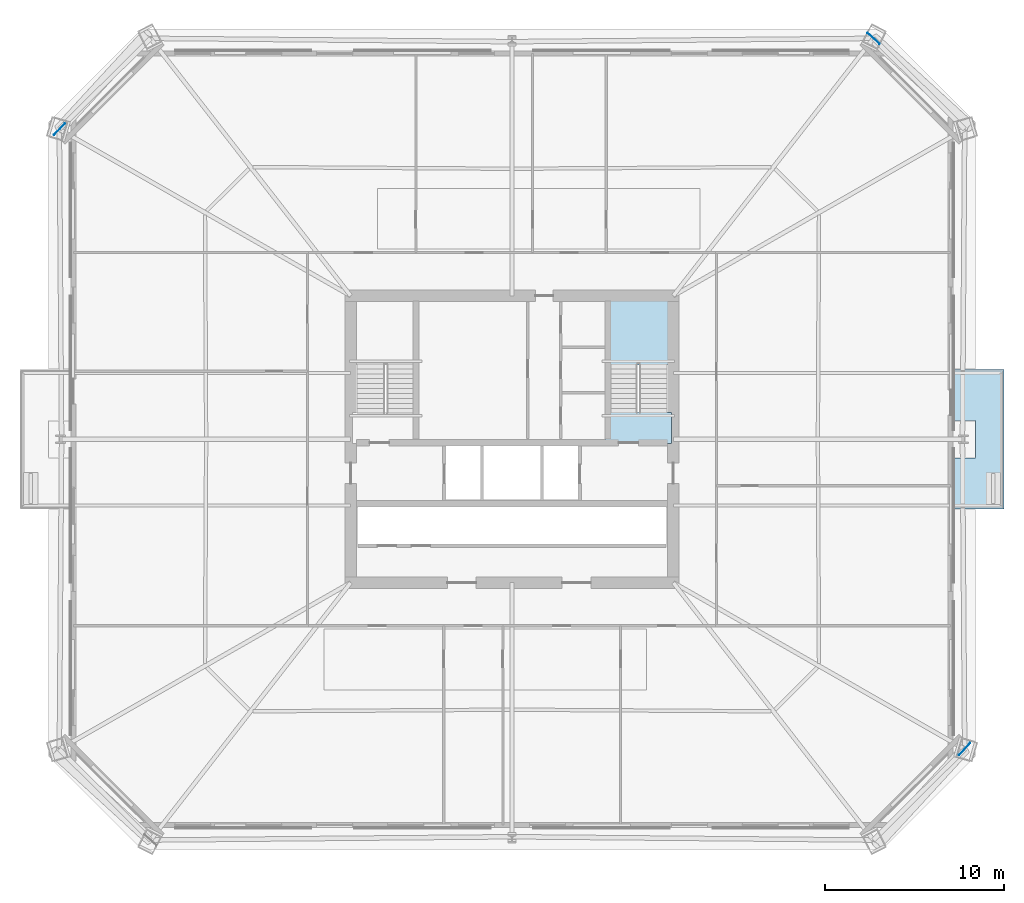
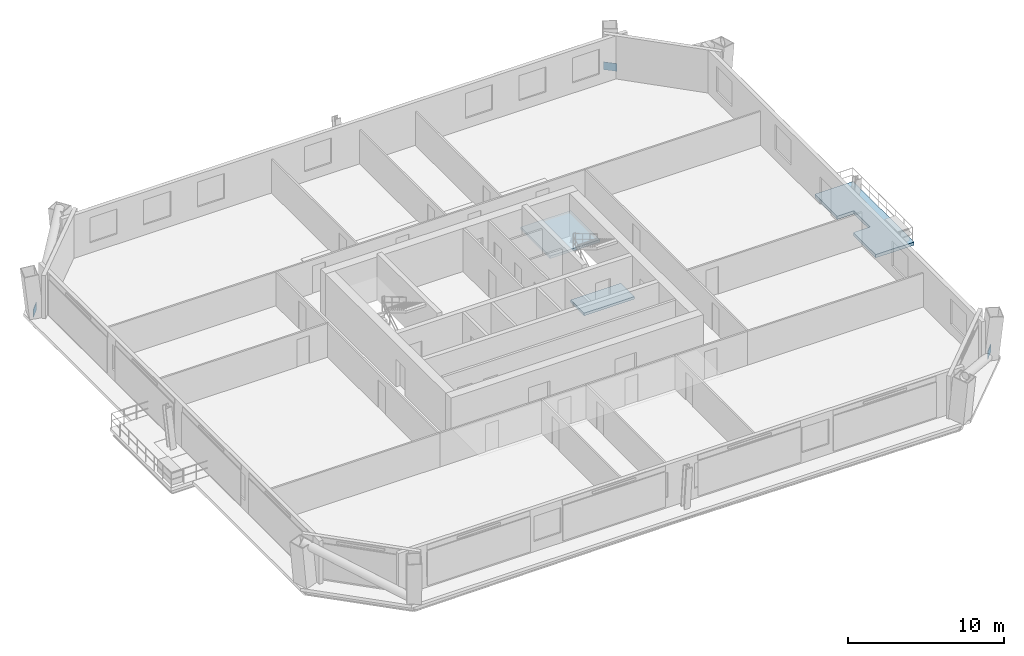
# One storey, part 4 of 11: 3 plates, 3 slabs, 1 element without a shape of its own.
"""IFC4 building model written with IfcOpenShell, lengths in metres."""

from ifc_helpers import new_model, si_unit, direction, frame, origin, origin_2d, place, context, subcontext, project, spatial, polyline, rectangle, outline, extrude, material, layer, layer_set, type_object, element, aggregate, save


model = new_model("IFC4")

# Units and contexts
model_context = context("Model", 3, precision=1e-05, world=origin(), true_north=direction((0.0, 1.0)))
body_context = subcontext(model_context, "Body", "Model", "MODEL_VIEW")
ifc_project = project(units=[si_unit("LENGTHUNIT", "METRE"), si_unit("AREAUNIT", "SQUARE_METRE"), si_unit("VOLUMEUNIT", "CUBIC_METRE"), si_unit("PLANEANGLEUNIT", "RADIAN"), si_unit("MASSUNIT", "GRAM", prefix="KILO")], contexts=[model_context])

# Site, building, storey
site_placement = place(None, origin())
site = spatial("IfcSite", under=ifc_project, at=site_placement, CompositionType="ELEMENT")
building_placement = place(site_placement, origin())
building = spatial("IfcBuilding", under=site, at=building_placement, Name="Caelvoria Tower", CompositionType="ELEMENT")
storey_placement = place(building_placement, frame((0.0, 0.0, 67.60009765625)))
storey = spatial("IfcBuildingStorey", under=building, at=storey_placement, Name="L17", CompositionType="ELEMENT", Elevation=67.60009765625)

# Plates
ifc_material_1 = material(Name="Structural Steel ASTM A572 Gr.50", Category="steel")
ifc_layer_1 = layer(ifc_material_1, 0.0400390625, Name="Structural Steel ASTM A572 Gr.50")
ifc_layer_set_1 = layer_set([ifc_layer_1], Name="Megaframe Node Gusset Plate 900x600x40 - Structural Steel ASTM A572 Gr.50")
plate_type = type_object("IfcPlateType", Name="Megaframe Node Gusset Plate 900x600x40", PredefinedType="USERDEFINED", material=ifc_layer_set_1)
for number, where, z_axis, x_axis, name in (
    (1, (71.255859375, 14.706787109375, 0.019775390625), (0.0, 0.0, 1.0), (-0.676719217062, -0.736241197746, 0.0), "Chamfer Mega Brace Gusset L17 SE"),
    (2, (66.167724609375, 54.365234375, 0.019775390625), (0.0, 0.0, 1.0), (0.738076268772, -0.674717290038, 0.0), "Chamfer Mega Brace Gusset L17 NE"),
    (3, (20.744140625, 49.293212890625, 0.019775390625), (0.0, 0.0, 1.0), (0.676719217062, 0.736241197746, 0.0), "Chamfer Mega Brace Gusset L17 NW"),
):
    element("IfcPlate", number, at=place(storey_placement, frame(where, z_axis=z_axis, x_axis=x_axis)), inside=storey, type_object=plate_type, Name=name, ObjectType="GUSSET_PLATE", PredefinedType="USERDEFINED", context=body_context, shape_type="SweptSolid", body=[
        extrude(rectangle(XDim=0.89990234375, YDim=0.0400390625, at=origin_2d()), origin(), (0.0, 0.0, 1.0), 0.60009765625),
    ])

# Stair, slabs
ifc_material_2 = material(Name="Concrete C40/50", Category="concrete")
stair_type = type_object("IfcStairType", Name="Core Smokeproof Dogleg Stair Concrete C40/50", PredefinedType="HALF_TURN_STAIR", material=ifc_material_2)
stair_placement = place(storey_placement, origin())
stair = element("IfcStair", 4, at=stair_placement, inside=storey, type_object=stair_type, Name="ST-02 Smokeproof Exit Stair L17", PredefinedType="HALF_TURN_STAIR")
ifc_layer_2 = layer(ifc_material_2, 0.199951171875, Name="Concrete C40/50")
ifc_layer_set_2 = layer_set([ifc_layer_2], Name="Stair Half and Floor Landing Slab 200 Concrete C40/50 - Concrete C40/50")
slab_type_1 = type_object("IfcSlabType", Name="Stair Half and Floor Landing Slab 200 Concrete C40/50", PredefinedType="LANDING", material=ifc_layer_set_2)
slab_1_placement = place(storey_placement, frame((0.0, 0.0, -0.2001953125)))
slab_1 = element("IfcSlab", 5, at=slab_1_placement, type_object=slab_type_1, Name="ST-02 landing 1", PredefinedType="LANDING", context=body_context, shape_type="SweptSolid", body=[
    extrude(outline(polyline([(51.199951171875, 31.77001953125), (54.89990234375, 31.77001953125), (54.89990234375, 33.5), (51.199951171875, 33.5), (51.199951171875, 31.77001953125)])), origin(), (0.0, 0.0, 1.0), 0.2001953125),
])
slab_2_placement = place(storey_placement, frame((0.0, 0.0, 1.599853515625)))
slab_2 = element("IfcSlab", 6, at=slab_2_placement, type_object=slab_type_1, Name="ST-02 landing 2", PredefinedType="LANDING", context=body_context, shape_type="SweptSolid", body=[
    extrude(outline(polyline([(51.199951171875, 36.14990234375), (54.89990234375, 36.14990234375), (54.89990234375, 39.89990234375), (51.199951171875, 39.89990234375), (51.199951171875, 36.14990234375)])), origin(), (0.0, 0.0, 1.0), 0.199951171875),
])
aggregate(stair, [slab_1, slab_2])

# Slab
ifc_material_3 = material(Name="Concrete C45/55", Category="concrete")
ifc_layer_3 = layer(ifc_material_3, 0.25, Name="Concrete C45/55")
ifc_layer_set_3 = layer_set([ifc_layer_3], Name="Tree Balcony Structural Planter Slab 250 - Concrete C45/55")
slab_type_2 = type_object("IfcSlabType", Name="Tree Balcony Structural Planter Slab 250", PredefinedType="FLOOR", material=ifc_layer_set_3)
slab_3_placement = place(storey_placement, frame((0.0, 0.0, -0.25)))
element("IfcSlab", 7, at=slab_3_placement, inside=storey, type_object=slab_type_2, Name="Tree Balcony Slab TB-L17-E", PredefinedType="FLOOR", context=body_context, shape_type="SweptSolid", body=[
    extrude(outline(polyline([(71.85009765625, 35.89990234375), (70.610107421875, 35.89990234375), (70.610107421875, 33.0400390625), (71.85009765625, 33.0400390625), (71.85009765625, 30.9599609375), (70.610107421875, 30.9599609375), (70.610107421875, 28.10009765625), (71.85009765625, 28.10009765625), (73.449951171875, 28.10009765625), (73.449951171875, 35.89990234375), (71.85009765625, 35.89990234375)])), origin(), (0.0, 0.0, 1.0), 0.25),
])

save(model, "model.ifc")
